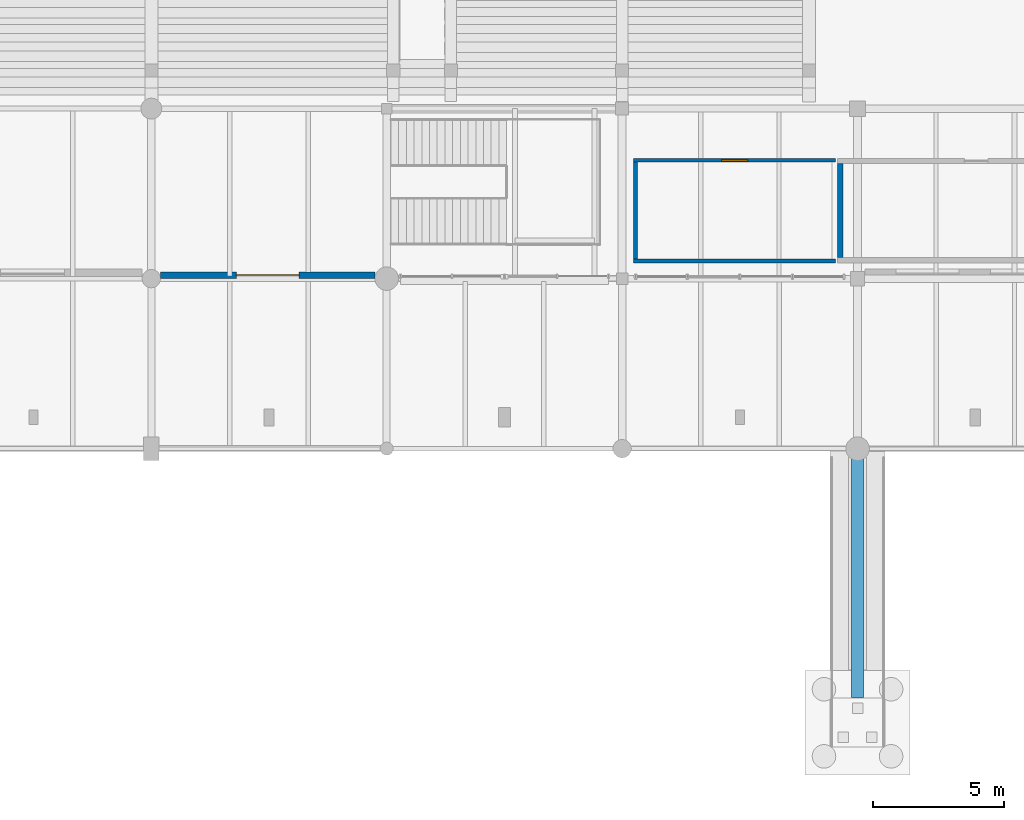
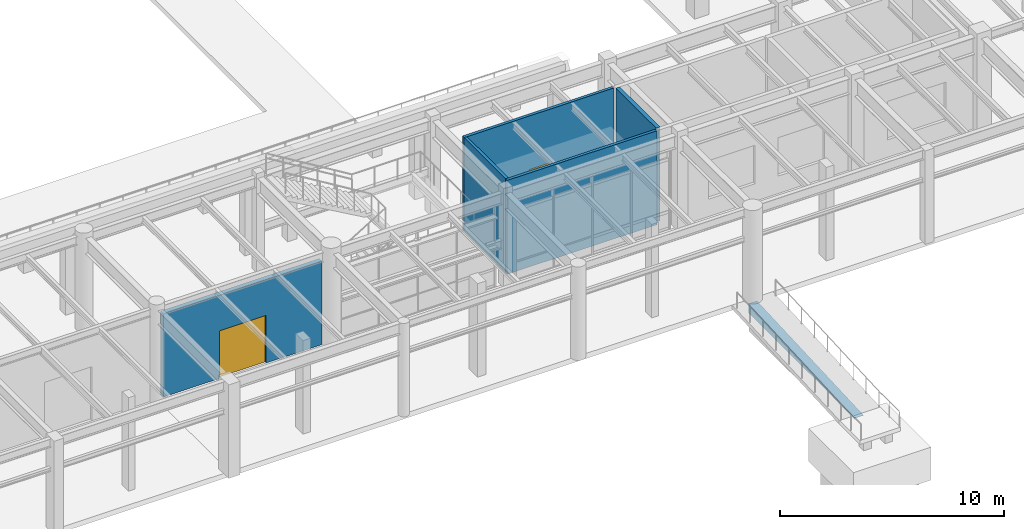
# One storey, part 174 of 203: 6 walls, 2 doors, 2 openings.
"""IFC4 building model written with IfcOpenShell, lengths in metres."""

from ifc_helpers import new_model, si_unit, direction, frame, frame_2d, origin, place, context, subcontext, project, spatial, polyline, rectangle, outline, extrude, material, layer, layer_set, type_object, element, fill, save


model = new_model("IFC4")

# Units and contexts
model_context = context("Model", 3, precision=1e-05, world=origin(), true_north=direction((0.0, 1.0)))
body_context = subcontext(model_context, "Body", "Model", "MODEL_VIEW")
ifc_project = project(units=[si_unit("LENGTHUNIT", "METRE"), si_unit("AREAUNIT", "SQUARE_METRE"), si_unit("VOLUMEUNIT", "CUBIC_METRE"), si_unit("PLANEANGLEUNIT", "RADIAN"), si_unit("MASSUNIT", "GRAM", prefix="KILO"), si_unit("THERMODYNAMICTEMPERATUREUNIT", "KELVIN"), si_unit("POWERUNIT", "WATT")], contexts=[model_context])

# Site, building, storey
site_placement = place(None, origin())
site = spatial("IfcSite", under=ifc_project, at=site_placement, CompositionType="ELEMENT")
building_placement = place(site_placement, origin())
building = spatial("IfcBuilding", under=site, at=building_placement, Name="Tepalcoro Natatorium and Aquatics Centre", CompositionType="ELEMENT")
storey_placement = place(building_placement, origin())
storey = spatial("IfcBuildingStorey", under=building, at=storey_placement, Name="L00", CompositionType="ELEMENT", Elevation=0.0)

# Wall, opening, door
ifc_material_1 = material(Name="Precast Concrete C45/55 (fc 45 MPa)", Category="concrete")
ifc_layer_1 = layer(ifc_material_1, 0.260009765625)
ifc_layer_set_1 = layer_set([ifc_layer_1], Name="Precast Concrete C45/55 (fc 45 MPa)")
wall_type_1 = type_object("IfcWallType", Name="WL_EXT_GABLE_260", PredefinedType="SOLIDWALL", material=ifc_layer_set_1)
wall_1_placement = place(storey_placement, frame((89.35400390625, 6.6298828125, 0.0), z_axis=(0.0, 0.0, 1.0), x_axis=(1.0, 0.0, 0.0)))
wall_1 = element("IfcWall", 1, at=wall_1_placement, inside=storey, type_object=wall_type_1, Name="V1 L00 S Volcanic Basalt Envelope Wall", PredefinedType="SOLIDWALL", context=body_context, shape_type="SweptSolid", body=[
    extrude(rectangle(XDim=8.19189453125, YDim=0.260009765625, at=frame_2d((4.095947265625, 0.0))), origin(), (0.0, 0.0, 1.0), 4.537109375),
])
opening_1_placement = place(wall_1_placement, frame((2.89599609375, 0.0, 0.0)))
opening_1 = element("IfcOpeningElement", 2, at=opening_1_placement, cuts=wall_1, Name="Opening ED5003", PredefinedType="OPENING", context=body_context, shape_type="SweptSolid", body=[
    extrude(rectangle(XDim=2.39990234375, YDim=2.60009765625, at=frame_2d((1.199951171875, 1.300048828125))), frame((0.0, 0.14208984375, 0.0), z_axis=(0.0, -1.0, 0.0), x_axis=(1.0, 0.0, 0.0)), (0.0, 0.0, 1.0), 0.283935546875),
])
ifc_material_2 = material(Name="Bronze-Anodised Extruded Aluminium Alloy EN AW-6063 T6", Category="aluminium")
door_type_1 = type_object("IfcDoorType", Name="DR_240x260_EXT", OperationType="NOTDEFINED", PredefinedType="DOOR", material=ifc_material_2)
door_1_placement = place(opening_1_placement, frame((2.39990234375, 0.0, 0.0), z_axis=(0.0, 0.0, 1.0), x_axis=(-1.0, 0.0, 0.0)))
door_1 = element("IfcDoor", 3, at=door_1_placement, inside=storey, type_object=door_type_1, Name="South Colonnade Concourse Exit", OperationType="DOUBLE_DOOR_SINGLE_SWING", OverallHeight=2.60009765625, OverallWidth=2.39990234375, PredefinedType="DOOR", context=body_context, shape_type="SweptSolid", body=[
    extrude(rectangle(XDim=2.39990234375, YDim=2.60009765625, at=frame_2d((1.199951171875, 1.300048828125))), frame((0.0, 0.02490234375, 0.0), z_axis=(0.0, -1.0, 0.0), x_axis=(1.0, 0.0, 0.0)), (0.0, 0.0, 1.0), 0.050048828125),
])
fill(opening_1, door_1)

# Wall
ifc_material_3 = material(Name="Moisture-Resistant Acoustic Gypsum Drywall on Cold-Formed Metal Studs")
ifc_layer_2 = layer(ifc_material_3, 0.14990234375)
ifc_layer_set_2 = layer_set([ifc_layer_2], Name="Moisture-Resistant Acoustic Gypsum Drywall on Cold-Formed Metal Studs")
wall_type_2 = type_object("IfcWallType", Name="WL_PART_150_AC", PredefinedType="PARTITIONING", material=ifc_layer_set_2)
wall_2_placement = place(storey_placement, frame((107.43994140625, 7.175048828125, 0.0), z_axis=(0.0, 0.0, 1.0), x_axis=(1.0, 0.0, 0.0)))
element("IfcWall", 4, at=wall_2_placement, inside=storey, type_object=wall_type_2, Name="Doping Control Chaperone & Sample Collection Suite Partition S", PredefinedType="PARTITIONING", context=body_context, shape_type="SweptSolid", body=[
    extrude(rectangle(XDim=7.719970703125, YDim=0.14990234375, at=frame_2d((3.85986328125, 0.0))), origin(), (0.0, 0.0, 1.0), 5.125),
])

# Wall, opening, door
wall_3_placement = place(storey_placement, frame((107.43994140625, 11.02490234375, 0.0), z_axis=(0.0, 0.0, 1.0), x_axis=(1.0, 0.0, 0.0)))
wall_3 = element("IfcWall", 5, at=wall_3_placement, inside=storey, type_object=wall_type_2, Name="Doping Control Chaperone & Sample Collection Suite Partition N", PredefinedType="PARTITIONING", context=body_context, shape_type="SweptSolid", body=[
    extrude(rectangle(XDim=7.719970703125, YDim=0.14990234375, at=frame_2d((3.85986328125, 0.0))), origin(), (0.0, 0.0, 1.0), 5.125),
])
opening_2_placement = place(wall_3_placement, frame((3.360107421875, 0.0, 0.0)))
opening_2 = element("IfcOpeningElement", 6, at=opening_2_placement, cuts=wall_3, Name="Opening D0076", PredefinedType="OPENING", context=body_context, shape_type="SweptSolid", body=[
    extrude(rectangle(XDim=1.0, YDim=2.199951171875, at=frame_2d((0.5, 1.10009765625))), frame((0.0, 0.0869140625, 0.0), z_axis=(0.0, -1.0, 0.0), x_axis=(1.0, 0.0, 0.0)), (0.0, 0.0, 1.0), 0.173828125),
])
ifc_material_4 = material(Name="Galvanised Steel Insulated Acoustic Fire Door Assembly", Category="steel")
door_type_2 = type_object("IfcDoorType", Name="DR_100x220_FD60", OperationType="NOTDEFINED", PredefinedType="DOOR", material=ifc_material_4)
door_2_placement = place(opening_2_placement, frame((1.0, 0.0, 0.0), z_axis=(0.0, 0.0, 1.0), x_axis=(-1.0, 0.0, 0.0)))
door_2 = element("IfcDoor", 7, at=door_2_placement, inside=storey, type_object=door_type_2, Name="Doping Control Chaperone & Sample Collection Suite Door", OperationType="SINGLE_SWING_RIGHT", OverallHeight=2.199951171875, OverallWidth=1.0, PredefinedType="DOOR", context=body_context, shape_type="SweptSolid", body=[
    extrude(rectangle(XDim=1.0, YDim=2.199951171875, at=frame_2d((0.5, 1.10009765625))), frame((0.0, 0.02490234375, 0.0), z_axis=(0.0, -1.0, 0.0), x_axis=(1.0, 0.0, 0.0)), (0.0, 0.0, 1.0), 0.050048828125),
])
fill(opening_2, door_2)

# Walls
wall_4_placement = place(storey_placement, frame((107.514892578125, 7.25, 0.0), z_axis=(0.0, 0.0, 1.0), x_axis=(0.0, 1.0, 0.0)))
element("IfcWall", 8, at=wall_4_placement, inside=storey, type_object=wall_type_2, Name="Doping Control Chaperone & Sample Collection Suite Partition W", PredefinedType="PARTITIONING", context=body_context, shape_type="SweptSolid", body=[
    extrude(rectangle(XDim=3.699951171875, YDim=0.14990234375, at=frame_2d((1.85009765625, 0.0))), origin(), (0.0, 0.0, 1.0), 5.125),
])
ifc_material_5 = material(Name="Ceramic-Tiled Moisture-Resistant Masonry Blockwork", Category="masonry")
ifc_layer_3 = layer(ifc_material_5, 0.199951171875)
ifc_layer_set_3 = layer_set([ifc_layer_3], Name="Ceramic-Tiled Moisture-Resistant Masonry Blockwork")
wall_type_3 = type_object("IfcWallType", Name="WL_PLUMB_200", PredefinedType="PLUMBINGWALL", material=ifc_layer_set_3)
wall_5_placement = place(storey_placement, frame((115.340087890625, 7.300048828125, 0.0), z_axis=(0.0, 0.0, 1.0), x_axis=(0.0, 1.0, 0.0)))
element("IfcWall", 9, at=wall_5_placement, inside=storey, type_object=wall_type_3, Name="Poolside Athlete Male & Female WC Partition W", PredefinedType="PLUMBINGWALL", context=body_context, shape_type="SweptSolid", body=[
    extrude(rectangle(XDim=3.599853515625, YDim=0.199951171875, at=frame_2d((1.7998046875, 0.0))), origin(), (0.0, 0.0, 1.0), 5.125),
])
ifc_material_6 = material(Name="Concrete C40/50 (fc 40 MPa)", Category="concrete")
ifc_layer_4 = layer(ifc_material_6, 0.449951171875)
ifc_layer_set_4 = layer_set([ifc_layer_4], Name="Concrete C40/50 (fc 40 MPa)")
wall_type_4 = type_object("IfcWallType", Name="WL_RET_450", PredefinedType="USERDEFINED", material=ifc_layer_set_4)
wall_6_placement = place(storey_placement, frame((116.0, -9.52001953125, -0.699951171875), z_axis=(0.0, 0.0, 1.0), x_axis=(0.0, 1.0, 0.0)))
element("IfcWall", 10, at=wall_6_placement, inside=storey, type_object=wall_type_4, Name="RMP04 Ramp Supporting Stem Wall", ObjectType="RETAINING WALL", PredefinedType="USERDEFINED", context=body_context, shape_type="SweptSolid", body=[
    extrude(outline(polyline([(0.0, 0.0), (9.51513671875, 0.0), (9.514892578125, 0.482421875), (0.0, 0.02587890625), (0.0, 0.0)])), frame((0.0, 0.22509765625, 0.0), z_axis=(0.0, -1.0, 0.0), x_axis=(1.0, 0.0, 0.0)), (0.0, 0.0, 1.0), 0.449951171875),
])

save(model, "model.ifc")
